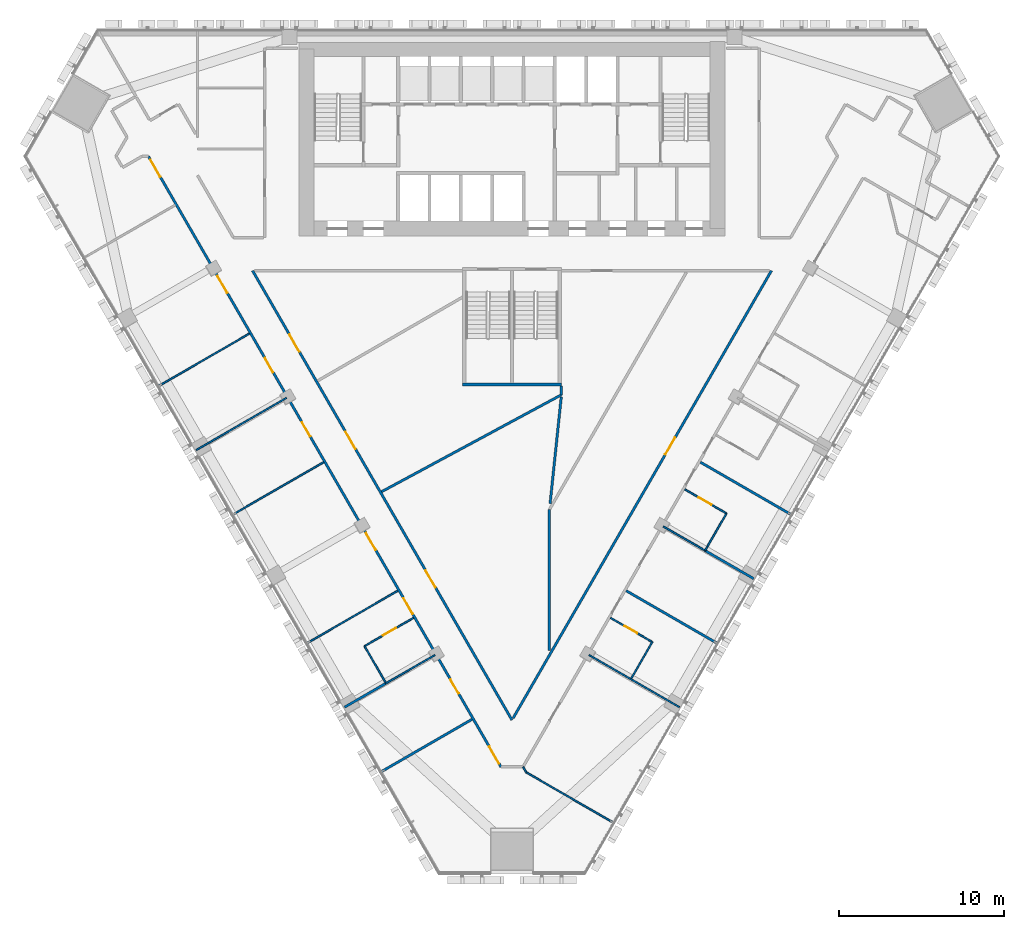
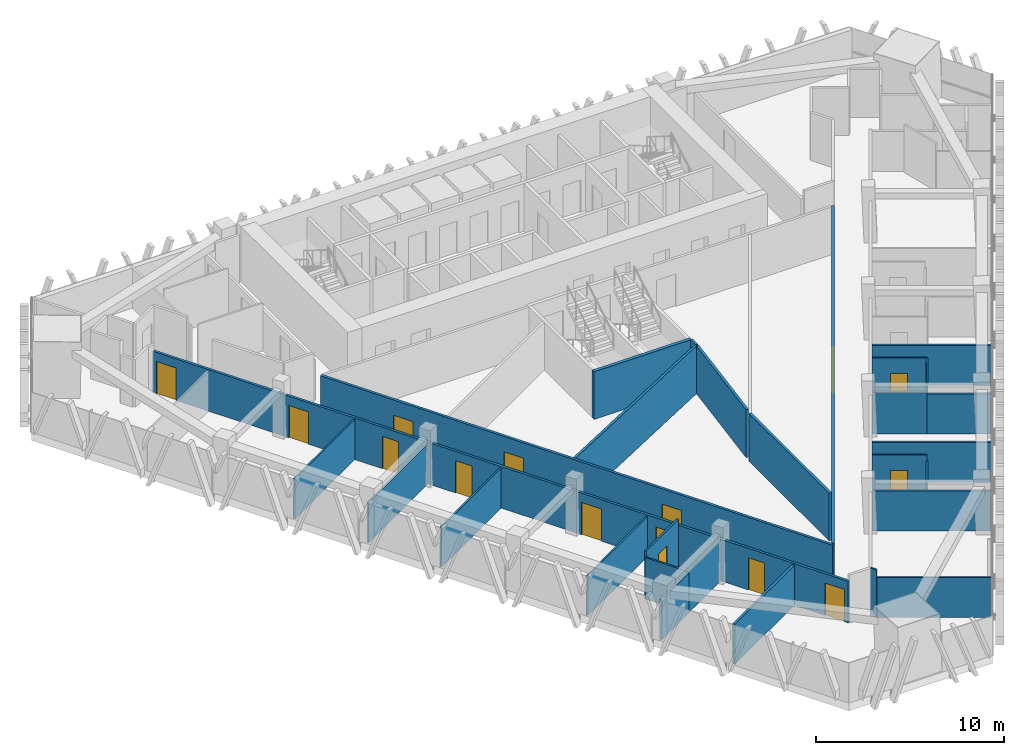
# One storey, part 9 of 16: 29 walls, 15 doors, 15 openings.
"""IFC4 building model written with IfcOpenShell, lengths in metres."""

from ifc_helpers import new_model, si_unit, direction, frame, frame_2d, origin, place, context, subcontext, project, spatial, rectangle, extrude, material, layer, layer_set, type_object, element, fill, save


model = new_model("IFC4")

# Units and contexts
model_context = context("Model", 3, precision=1e-05, world=origin(), true_north=direction((0.0, 1.0)))
body_context = subcontext(model_context, "Body", "Model", "MODEL_VIEW")
ifc_project = project(units=[si_unit("LENGTHUNIT", "METRE"), si_unit("AREAUNIT", "SQUARE_METRE"), si_unit("VOLUMEUNIT", "CUBIC_METRE"), si_unit("PLANEANGLEUNIT", "RADIAN"), si_unit("MASSUNIT", "GRAM", prefix="KILO")], contexts=[model_context])

# Site, building, storey
site_placement = place(None, origin())
site = spatial("IfcSite", under=ifc_project, at=site_placement, CompositionType="ELEMENT")
building_placement = place(site_placement, origin())
building = spatial("IfcBuilding", under=site, at=building_placement, Name="Altiplano Prism Tower", CompositionType="ELEMENT")
storey_placement = place(building_placement, frame((0.0, 0.0, 81.0)))
storey = spatial("IfcBuildingStorey", under=building, at=storey_placement, Name="L20", CompositionType="ELEMENT", Elevation=81.0)

# Wall
ifc_material_1 = material(Name="Plasterboard on steel stud", Category="steel")
ifc_layer_1 = layer(ifc_material_1, 0.10009765625)
ifc_layer_set_1 = layer_set([ifc_layer_1], Name="Plasterboard on steel stud")
wall_type_1 = type_object("IfcWallType", Name="Partition 100 unit", PredefinedType="PARTITIONING", material=ifc_layer_set_1)
wall_1_placement = place(storey_placement, frame((77.323974609375, 65.451904296875, 0.0), z_axis=(0.0, 0.0, 1.0), x_axis=(-0.500090717682, 0.865973021571, 0.0)))
element("IfcWall", 1, at=wall_1_placement, inside=storey, type_object=wall_type_1, Name="Partition P02 L20 048", PredefinedType="PARTITIONING", context=body_context, shape_type="SweptSolid", body=[
    extrude(rectangle(XDim=2.52490234375, YDim=0.10009765625, at=frame_2d((1.262451171875, 0.0))), origin(), (0.0, 0.0, 1.0), 2.699951171875),
])

# Wall, opening, door
wall_2_placement = place(storey_placement, frame((76.061279296875, 67.638427734375, 0.0), z_axis=(0.0, 0.0, 1.0), x_axis=(0.866019409031, 0.500010383074, 0.0)))
wall_2 = element("IfcWall", 2, at=wall_2_placement, inside=storey, type_object=wall_type_1, Name="Partition P02 L20 049", PredefinedType="PARTITIONING", context=body_context, shape_type="SweptSolid", body=[
    extrude(rectangle(XDim=3.42529296875, YDim=0.10009765625, at=frame_2d((1.712646484375, 0.0))), origin(), (0.0, 0.0, 1.0), 3.10009765625),
])
opening_1_placement = place(wall_2_placement, frame((1.300048828125, 0.0, 0.0)))
opening_1 = element("IfcOpeningElement", 3, at=opening_1_placement, cuts=wall_2, Name="Opening D0764", PredefinedType="OPENING", context=body_context, shape_type="SweptSolid", body=[
    extrude(rectangle(XDim=0.89990234375, YDim=2.10009765625, at=frame_2d((0.449951171875, 1.050048828125))), frame((0.0, 0.060546875, 0.0), z_axis=(0.0, -1.0, 0.0), x_axis=(1.0, 0.0, 0.0)), (0.0, 0.0, 1.0), 0.12109375),
])
ifc_material_2 = material(Name="Timber", Category="wood")
door_type_1 = type_object("IfcDoorType", Name="Accessible ensuite door 900 x 2100", OperationType="NOTDEFINED", PredefinedType="NOTDEFINED", material=ifc_material_2)
door_1_placement = place(opening_1_placement, origin())
door_1 = element("IfcDoor", 4, at=door_1_placement, inside=storey, type_object=door_type_1, Name="Door D0764", OperationType="SINGLE_SWING_RIGHT", OverallHeight=2.10009765625, OverallWidth=0.89990234375, PredefinedType="NOTDEFINED", context=body_context, shape_type="SweptSolid", body=[
    extrude(rectangle(XDim=0.89990234375, YDim=2.10009765625, at=frame_2d((0.449951171875, 1.050048828125))), frame((0.0, 0.02490234375, 0.0), z_axis=(0.0, -1.0, 0.0), x_axis=(1.0, 0.0, 0.0)), (0.0, 0.0, 1.0), 0.050048828125),
])
fill(opening_1, door_1)

wall_3_placement = place(storey_placement, frame((90.972412109375, 69.35107421875, 0.0), z_axis=(0.0, 0.0, 1.0), x_axis=(0.86601045545, -0.500025890382, 0.0)))
wall_3 = element("IfcWall", 5, at=wall_3_placement, inside=storey, type_object=wall_type_1, Name="Partition P02 L20 056", PredefinedType="PARTITIONING", context=body_context, shape_type="SweptSolid", body=[
    extrude(rectangle(XDim=2.925048828125, YDim=0.10009765625, at=frame_2d((1.46240234375, 0.0))), origin(), (0.0, 0.0, 1.0), 3.10009765625),
])
opening_2_placement = place(wall_3_placement, frame((0.97509765625, 0.0, 0.0)))
opening_2 = element("IfcOpeningElement", 6, at=opening_2_placement, cuts=wall_3, Name="Opening D0769", PredefinedType="OPENING", context=body_context, shape_type="SweptSolid", body=[
    extrude(rectangle(XDim=0.89990234375, YDim=2.10009765625, at=frame_2d((0.449951171875, 1.050048828125))), frame((0.0, 0.060546875, 0.0), z_axis=(0.0, -1.0, 0.0), x_axis=(1.0, 0.0, 0.0)), (0.0, 0.0, 1.0), 0.12109375),
])
door_type_2 = type_object("IfcDoorType", Name="Ensuite door 900 x 2100", OperationType="NOTDEFINED", PredefinedType="NOTDEFINED", material=ifc_material_2)
door_2_placement = place(opening_2_placement, origin())
door_2 = element("IfcDoor", 7, at=door_2_placement, inside=storey, type_object=door_type_2, Name="Door D0769", OperationType="SINGLE_SWING_LEFT", OverallHeight=2.10009765625, OverallWidth=0.89990234375, PredefinedType="NOTDEFINED", context=body_context, shape_type="SweptSolid", body=[
    extrude(rectangle(XDim=0.89990234375, YDim=2.10009765625, at=frame_2d((0.449951171875, 1.050048828125))), frame((0.0, 0.02490234375, 0.0), z_axis=(0.0, -1.0, 0.0), x_axis=(1.0, 0.0, 0.0)), (0.0, 0.0, 1.0), 0.050048828125),
])
fill(opening_2, door_2)

# Wall
wall_4_placement = place(storey_placement, frame((93.505615234375, 67.888427734375, 0.0), z_axis=(0.0, 0.0, 1.0), x_axis=(-0.499990435942, -0.866030925526, 0.0)))
element("IfcWall", 8, at=wall_4_placement, inside=storey, type_object=wall_type_1, Name="Partition P02 L20 057", PredefinedType="PARTITIONING", context=body_context, shape_type="SweptSolid", body=[
    extrude(rectangle(XDim=2.5498046875, YDim=0.10009765625, at=frame_2d((1.27490234375, 0.0))), origin(), (0.0, 0.0, 1.0), 2.699951171875),
])

# Wall, opening, door
wall_5_placement = place(storey_placement, frame((95.472412109375, 77.145263671875, 0.0), z_axis=(0.0, 0.0, 1.0), x_axis=(0.866046596414, -0.499963291492, 0.0)))
wall_5 = element("IfcWall", 9, at=wall_5_placement, inside=storey, type_object=wall_type_1, Name="Partition P02 L20 061", PredefinedType="PARTITIONING", context=body_context, shape_type="SweptSolid", body=[
    extrude(rectangle(XDim=2.925048828125, YDim=0.10009765625, at=frame_2d((1.46240234375, 0.0))), origin(), (0.0, 0.0, 1.0), 3.10009765625),
])
opening_3_placement = place(wall_5_placement, frame((0.97509765625, 0.0, 0.0)))
opening_3 = element("IfcOpeningElement", 10, at=opening_3_placement, cuts=wall_5, Name="Opening D0772", PredefinedType="OPENING", context=body_context, shape_type="SweptSolid", body=[
    extrude(rectangle(XDim=0.89990234375, YDim=2.10009765625, at=frame_2d((0.449951171875, 1.050048828125))), frame((0.0, 0.060546875, 0.0), z_axis=(0.0, -1.0, 0.0), x_axis=(1.0, 0.0, 0.0)), (0.0, 0.0, 1.0), 0.12109375),
])
door_3_placement = place(opening_3_placement, origin())
door_3 = element("IfcDoor", 11, at=door_3_placement, inside=storey, type_object=door_type_2, Name="Door D0772", OperationType="SINGLE_SWING_LEFT", OverallHeight=2.10009765625, OverallWidth=0.89990234375, PredefinedType="NOTDEFINED", context=body_context, shape_type="SweptSolid", body=[
    extrude(rectangle(XDim=0.89990234375, YDim=2.10009765625, at=frame_2d((0.449951171875, 1.050048828125))), frame((0.0, 0.02490234375, 0.0), z_axis=(0.0, -1.0, 0.0), x_axis=(1.0, 0.0, 0.0)), (0.0, 0.0, 1.0), 0.050048828125),
])
fill(opening_3, door_3)

# Walls
wall_6_placement = place(storey_placement, frame((98.005615234375, 75.682861328125, 0.0), z_axis=(0.0, 0.0, 1.0), x_axis=(-0.499952165731, -0.866053019151, 0.0)))
element("IfcWall", 12, at=wall_6_placement, inside=storey, type_object=wall_type_1, Name="Partition P02 L20 062", PredefinedType="PARTITIONING", context=body_context, shape_type="SweptSolid", body=[
    extrude(rectangle(XDim=2.300048828125, YDim=0.10009765625, at=frame_2d((1.14990234375, 0.0))), origin(), (0.0, 0.0, 1.0), 3.10009765625),
])
wall_7_placement = place(storey_placement, frame((96.855712890625, 73.69091796875, 0.0), z_axis=(0.0, 0.0, 1.0), x_axis=(-0.500426713919, -0.865778900179, 0.0)))
element("IfcWall", 13, at=wall_7_placement, inside=storey, type_object=wall_type_1, Name="Partition P02 L20 063", PredefinedType="PARTITIONING", context=body_context, shape_type="SweptSolid", body=[
    extrude(rectangle(XDim=0.300048828125, YDim=0.10009765625, at=frame_2d((0.14990234375, 0.0))), origin(), (0.0, 0.0, 1.0), 2.699951171875),
])
ifc_layer_2 = layer(ifc_material_1, 0.10009765625)
ifc_layer_set_2 = layer_set([ifc_layer_2], Name="Plasterboard on steel stud")
wall_type_2 = type_object("IfcWallType", Name="Partition 100 wet", PredefinedType="PARTITIONING", material=ifc_layer_set_2)
wall_8_placement = place(storey_placement, frame((63.58251953125, 83.412353515625, 0.0), z_axis=(0.0, 0.0, 1.0), x_axis=(0.866015781869, 0.500016665277, 0.0)))
element("IfcWall", 14, at=wall_8_placement, inside=storey, type_object=wall_type_2, Name="Partition P03 L20 044", PredefinedType="PARTITIONING", context=body_context, shape_type="SweptSolid", body=[
    extrude(rectangle(XDim=6.344970703125, YDim=0.10009765625, at=frame_2d((3.17236328125, 0.0))), origin(), (0.0, 0.0, 1.0), 2.60009765625),
])
wall_9_placement = place(storey_placement, frame((65.849853515625, 79.525390625, 0.0), z_axis=(0.0, 0.0, 1.0), x_axis=(0.866042250622, 0.499970819286, 0.0)))
element("IfcWall", 15, at=wall_9_placement, inside=storey, type_object=wall_type_2, Name="Partition P03 L20 045", PredefinedType="PARTITIONING", context=body_context, shape_type="SweptSolid", body=[
    extrude(rectangle(XDim=6.3251953125, YDim=0.10009765625, at=frame_2d((3.16259765625, 0.0))), origin(), (0.0, 0.0, 1.0), 2.60009765625),
])
for number, where, z_axis, x_axis, name in (
    (16, (68.08251953125, 75.6181640625, 0.0), (0.0, 0.0, 1.0), (0.866025401434, 0.500000004071, 0.0), "Partition P03 L20 046"),
    (17, (72.58251953125, 67.823974609375, 0.0), (0.0, 0.0, 1.0), (0.866025401434, 0.500000004071, 0.0), "Partition P03 L20 047"),
):
    element("IfcWall", number, at=place(storey_placement, frame(where, z_axis=z_axis, x_axis=x_axis)), inside=storey, type_object=wall_type_2, Name=name, PredefinedType="PARTITIONING", context=body_context, shape_type="SweptSolid", body=[
        extrude(rectangle(XDim=6.34521484375, YDim=0.10009765625, at=frame_2d((3.172607421875, 0.0))), origin(), (0.0, 0.0, 1.0), 2.60009765625),
    ])
wall_10_placement = place(storey_placement, frame((77.343994140625, 65.376953125, 0.0), z_axis=(0.0, 0.0, 1.0), x_axis=(0.866049878924, 0.499957605418, 0.0)))
element("IfcWall", 18, at=wall_10_placement, inside=storey, type_object=wall_type_2, Name="Partition P03 L20 051", PredefinedType="PARTITIONING", context=body_context, shape_type="SweptSolid", body=[
    extrude(rectangle(XDim=3.445068359375, YDim=0.10009765625, at=frame_2d((1.72265625, 0.0))), origin(), (0.0, 0.0, 1.0), 2.699951171875),
])
wall_11_placement = place(storey_placement, frame((91.135498046875, 56.943115234375, 0.0), z_axis=(0.0, 0.0, 1.0), x_axis=(-0.866022779063, 0.500004546124, 0.0)))
element("IfcWall", 19, at=wall_11_placement, inside=storey, type_object=wall_type_2, Name="Partition P03 L20 053", PredefinedType="PARTITIONING", context=body_context, shape_type="SweptSolid", body=[
    extrude(rectangle(XDim=6.09326171875, YDim=0.10009765625, at=frame_2d((3.046630859375, 0.0))), origin(), (0.0, 0.0, 1.0), 2.60009765625),
])
wall_12_placement = place(storey_placement, frame((85.858642578125, 59.98974609375, 0.0), z_axis=(0.0, 0.0, 1.0), x_axis=(-0.499965068118, 0.866045570776, 0.0)))
element("IfcWall", 20, at=wall_12_placement, inside=storey, type_object=wall_type_2, Name="Partition P03 L20 054", PredefinedType="PARTITIONING", context=body_context, shape_type="SweptSolid", body=[
    extrude(rectangle(XDim=0.37744140625, YDim=0.10009765625, at=frame_2d((0.188720703125, 0.0))), origin(), (0.0, 0.0, 1.0), 3.10009765625),
])
wall_13_placement = place(storey_placement, frame((95.150146484375, 63.936767578125, 0.0), z_axis=(0.0, 0.0, 1.0), x_axis=(-0.866025537322, 0.499999768706, 0.0)))
element("IfcWall", 21, at=wall_13_placement, inside=storey, type_object=wall_type_2, Name="Partition P03 L20 055", PredefinedType="PARTITIONING", context=body_context, shape_type="SweptSolid", body=[
    extrude(rectangle(XDim=6.3251953125, YDim=0.10009765625, at=frame_2d((3.16259765625, 0.0))), origin(), (0.0, 0.0, 1.0), 2.60009765625),
])
wall_14_placement = place(storey_placement, frame((96.70556640625, 73.43115234375, 0.0), z_axis=(0.0, 0.0, 1.0), x_axis=(-0.866046596414, 0.499963291492, 0.0)))
element("IfcWall", 22, at=wall_14_placement, inside=storey, type_object=wall_type_2, Name="Partition P03 L20 060", PredefinedType="PARTITIONING", context=body_context, shape_type="SweptSolid", body=[
    extrude(rectangle(XDim=2.925048828125, YDim=0.10009765625, at=frame_2d((1.46240234375, 0.0))), origin(), (0.0, 0.0, 1.0), 2.699951171875),
])

# Wall, openings, doors
ifc_layer_3 = layer(ifc_material_1, 0.14990234375)
ifc_layer_set_3 = layer_set([ifc_layer_3], Name="Plasterboard on steel stud")
wall_type_3 = type_object("IfcWallType", Name="Partition 150 corridor", PredefinedType="PARTITIONING", material=ifc_layer_set_3)
wall_15_placement = place(storey_placement, frame((62.954833984375, 97.339599609375, 0.0), z_axis=(0.0, 0.0, 1.0), x_axis=(0.500000604257, -0.866025054916, 0.0)))
wall_15 = element("IfcWall", 23, at=wall_15_placement, inside=storey, type_object=wall_type_3, Name="Partition P06 L20 015", PredefinedType="PARTITIONING", context=body_context, shape_type="SweptSolid", body=[
    extrude(rectangle(XDim=42.75048828125, YDim=0.14990234375, at=frame_2d((21.375244140625, 0.0))), origin(), (0.0, 0.0, 1.0), 2.699951171875),
])
opening_4_placement = place(wall_15_placement, frame((0.2451171875, 0.0, 0.0)))
opening_4 = element("IfcOpeningElement", 24, at=opening_4_placement, cuts=wall_15, Name="Opening D0758", PredefinedType="OPENING", context=body_context, shape_type="SweptSolid", body=[
    extrude(rectangle(XDim=1.199951171875, YDim=2.10009765625, at=frame_2d((0.60009765625, 1.050048828125))), frame((0.0, 0.08544921875, 0.0), z_axis=(0.0, -1.0, 0.0), x_axis=(1.0, 0.0, 0.0)), (0.0, 0.0, 1.0), 0.1708984375),
])
opening_5_placement = place(wall_15_placement, frame((8.375, 0.0, 0.0)))
opening_5 = element("IfcOpeningElement", 25, at=opening_5_placement, cuts=wall_15, Name="Opening D0759", PredefinedType="OPENING", context=body_context, shape_type="SweptSolid", body=[
    extrude(rectangle(XDim=1.199951171875, YDim=2.10009765625, at=frame_2d((0.60009765625, 1.050048828125))), frame((0.0, 0.08544921875, 0.0), z_axis=(0.0, -1.0, 0.0), x_axis=(1.0, 0.0, 0.0)), (0.0, 0.0, 1.0), 0.1708984375),
])
opening_6_placement = place(wall_15_placement, frame((14.125, 0.0, 0.0)))
opening_6 = element("IfcOpeningElement", 26, at=opening_6_placement, cuts=wall_15, Name="Opening D0760", PredefinedType="OPENING", context=body_context, shape_type="SweptSolid", body=[
    extrude(rectangle(XDim=1.0, YDim=2.10009765625, at=frame_2d((0.5, 1.050048828125))), frame((0.0, 0.08544921875, 0.0), z_axis=(0.0, -1.0, 0.0), x_axis=(1.0, 0.0, 0.0)), (0.0, 0.0, 1.0), 0.1708984375),
])
opening_7_placement = place(wall_15_placement, frame((18.625, 0.0, 0.0)))
opening_7 = element("IfcOpeningElement", 27, at=opening_7_placement, cuts=wall_15, Name="Opening D0761", PredefinedType="OPENING", context=body_context, shape_type="SweptSolid", body=[
    extrude(rectangle(XDim=1.0, YDim=2.10009765625, at=frame_2d((0.5, 1.050048828125))), frame((0.0, 0.08544921875, 0.0), z_axis=(0.0, -1.0, 0.0), x_axis=(1.0, 0.0, 0.0)), (0.0, 0.0, 1.0), 0.1708984375),
])
opening_8_placement = place(wall_15_placement, frame((26.375, 0.0, 0.0)))
opening_8 = element("IfcOpeningElement", 28, at=opening_8_placement, cuts=wall_15, Name="Opening D0762", PredefinedType="OPENING", context=body_context, shape_type="SweptSolid", body=[
    extrude(rectangle(XDim=1.199951171875, YDim=2.10009765625, at=frame_2d((0.60009765625, 1.050048828125))), frame((0.0, 0.08544921875, 0.0), z_axis=(0.0, -1.0, 0.0), x_axis=(1.0, 0.0, 0.0)), (0.0, 0.0, 1.0), 0.1708984375),
])
opening_9_placement = place(wall_15_placement, frame((30.946044921875, 0.0, 0.0)))
opening_9 = element("IfcOpeningElement", 29, at=opening_9_placement, cuts=wall_15, Name="Opening D0763", PredefinedType="OPENING", context=body_context, shape_type="SweptSolid", body=[
    extrude(rectangle(XDim=1.10009765625, YDim=2.10009765625, at=frame_2d((0.550048828125, 1.050048828125))), frame((0.0, 0.08544921875, 0.0), z_axis=(0.0, -1.0, 0.0), x_axis=(1.0, 0.0, 0.0)), (0.0, 0.0, 1.0), 0.1708984375),
])
opening_10_placement = place(wall_15_placement, frame((36.625, 0.0, 0.0)))
opening_10 = element("IfcOpeningElement", 30, at=opening_10_placement, cuts=wall_15, Name="Opening D0765", PredefinedType="OPENING", context=body_context, shape_type="SweptSolid", body=[
    extrude(rectangle(XDim=1.0, YDim=2.10009765625, at=frame_2d((0.5, 1.050048828125))), frame((0.0, 0.08544921875, 0.0), z_axis=(0.0, -1.0, 0.0), x_axis=(1.0, 0.0, 0.0)), (0.0, 0.0, 1.0), 0.1708984375),
])
opening_11_placement = place(wall_15_placement, frame((41.3291015625, 0.0, 0.0)))
opening_11 = element("IfcOpeningElement", 31, at=opening_11_placement, cuts=wall_15, Name="Opening D0766", PredefinedType="OPENING", context=body_context, shape_type="SweptSolid", body=[
    extrude(rectangle(XDim=1.199951171875, YDim=2.10009765625, at=frame_2d((0.60009765625, 1.050048828125))), frame((0.0, 0.08544921875, 0.0), z_axis=(0.0, -1.0, 0.0), x_axis=(1.0, 0.0, 0.0)), (0.0, 0.0, 1.0), 0.1708984375),
])
door_type_3 = type_object("IfcDoorType", Name="Accessible bedroom door 1100 x 2100", OperationType="NOTDEFINED", PredefinedType="NOTDEFINED", material=ifc_material_2)
door_4_placement = place(opening_9_placement, origin())
door_4 = element("IfcDoor", 32, at=door_4_placement, inside=storey, type_object=door_type_3, Name="Door D0763", OperationType="SINGLE_SWING_RIGHT", OverallHeight=2.10009765625, OverallWidth=1.10009765625, PredefinedType="NOTDEFINED", context=body_context, shape_type="SweptSolid", body=[
    extrude(rectangle(XDim=1.10009765625, YDim=2.10009765625, at=frame_2d((0.550048828125, 1.050048828125))), frame((0.0, 0.02490234375, 0.0), z_axis=(0.0, -1.0, 0.0), x_axis=(1.0, 0.0, 0.0)), (0.0, 0.0, 1.0), 0.050048828125),
])
fill(opening_9, door_4)
door_type_4 = type_object("IfcDoorType", Name="Room door 1000 x 2100", OperationType="NOTDEFINED", PredefinedType="NOTDEFINED", material=ifc_material_2)
door_5_placement = place(opening_6_placement, origin())
door_5 = element("IfcDoor", 33, at=door_5_placement, inside=storey, type_object=door_type_4, Name="Door D0760", OperationType="SINGLE_SWING_LEFT", OverallHeight=2.10009765625, OverallWidth=1.0, PredefinedType="NOTDEFINED", context=body_context, shape_type="SweptSolid", body=[
    extrude(rectangle(XDim=1.0, YDim=2.10009765625, at=frame_2d((0.5, 1.050048828125))), frame((0.0, 0.02490234375, 0.0), z_axis=(0.0, -1.0, 0.0), x_axis=(1.0, 0.0, 0.0)), (0.0, 0.0, 1.0), 0.050048828125),
])
fill(opening_6, door_5)
door_6_placement = place(opening_7_placement, origin())
door_6 = element("IfcDoor", 34, at=door_6_placement, inside=storey, type_object=door_type_4, Name="Door D0761", OperationType="SINGLE_SWING_LEFT", OverallHeight=2.10009765625, OverallWidth=1.0, PredefinedType="NOTDEFINED", context=body_context, shape_type="SweptSolid", body=[
    extrude(rectangle(XDim=1.0, YDim=2.10009765625, at=frame_2d((0.5, 1.050048828125))), frame((0.0, 0.02490234375, 0.0), z_axis=(0.0, -1.0, 0.0), x_axis=(1.0, 0.0, 0.0)), (0.0, 0.0, 1.0), 0.050048828125),
])
fill(opening_7, door_6)
door_7_placement = place(opening_10_placement, origin())
door_7 = element("IfcDoor", 35, at=door_7_placement, inside=storey, type_object=door_type_4, Name="Door D0765", OperationType="SINGLE_SWING_LEFT", OverallHeight=2.10009765625, OverallWidth=1.0, PredefinedType="NOTDEFINED", context=body_context, shape_type="SweptSolid", body=[
    extrude(rectangle(XDim=1.0, YDim=2.10009765625, at=frame_2d((0.5, 1.050048828125))), frame((0.0, 0.02490234375, 0.0), z_axis=(0.0, -1.0, 0.0), x_axis=(1.0, 0.0, 0.0)), (0.0, 0.0, 1.0), 0.050048828125),
])
fill(opening_10, door_7)
door_type_5 = type_object("IfcDoorType", Name="Shared room door 1200 x 2100", OperationType="NOTDEFINED", PredefinedType="NOTDEFINED", material=ifc_material_2)
door_8_placement = place(opening_4_placement, origin())
door_8 = element("IfcDoor", 36, at=door_8_placement, inside=storey, type_object=door_type_5, Name="Door D0758", OperationType="SINGLE_SWING_LEFT", OverallHeight=2.10009765625, OverallWidth=1.199951171875, PredefinedType="NOTDEFINED", context=body_context, shape_type="SweptSolid", body=[
    extrude(rectangle(XDim=1.199951171875, YDim=2.10009765625, at=frame_2d((0.60009765625, 1.050048828125))), frame((0.0, 0.02490234375, 0.0), z_axis=(0.0, -1.0, 0.0), x_axis=(1.0, 0.0, 0.0)), (0.0, 0.0, 1.0), 0.050048828125),
])
fill(opening_4, door_8)
door_9_placement = place(opening_5_placement, origin())
door_9 = element("IfcDoor", 37, at=door_9_placement, inside=storey, type_object=door_type_5, Name="Door D0759", OperationType="SINGLE_SWING_RIGHT", OverallHeight=2.10009765625, OverallWidth=1.199951171875, PredefinedType="NOTDEFINED", context=body_context, shape_type="SweptSolid", body=[
    extrude(rectangle(XDim=1.199951171875, YDim=2.10009765625, at=frame_2d((0.60009765625, 1.050048828125))), frame((0.0, 0.02490234375, 0.0), z_axis=(0.0, -1.0, 0.0), x_axis=(1.0, 0.0, 0.0)), (0.0, 0.0, 1.0), 0.050048828125),
])
fill(opening_5, door_9)
door_10_placement = place(opening_8_placement, origin())
door_10 = element("IfcDoor", 38, at=door_10_placement, inside=storey, type_object=door_type_5, Name="Door D0762", OperationType="SINGLE_SWING_LEFT", OverallHeight=2.10009765625, OverallWidth=1.199951171875, PredefinedType="NOTDEFINED", context=body_context, shape_type="SweptSolid", body=[
    extrude(rectangle(XDim=1.199951171875, YDim=2.10009765625, at=frame_2d((0.60009765625, 1.050048828125))), frame((0.0, 0.02490234375, 0.0), z_axis=(0.0, -1.0, 0.0), x_axis=(1.0, 0.0, 0.0)), (0.0, 0.0, 1.0), 0.050048828125),
])
fill(opening_8, door_10)
door_11_placement = place(opening_11_placement, origin())
door_11 = element("IfcDoor", 39, at=door_11_placement, inside=storey, type_object=door_type_5, Name="Door D0766", OperationType="SINGLE_SWING_RIGHT", OverallHeight=2.10009765625, OverallWidth=1.199951171875, PredefinedType="NOTDEFINED", context=body_context, shape_type="SweptSolid", body=[
    extrude(rectangle(XDim=1.199951171875, YDim=2.10009765625, at=frame_2d((0.60009765625, 1.050048828125))), frame((0.0, 0.02490234375, 0.0), z_axis=(0.0, -1.0, 0.0), x_axis=(1.0, 0.0, 0.0)), (0.0, 0.0, 1.0), 0.050048828125),
])
fill(opening_11, door_11)

wall_16_placement = place(storey_placement, frame((85.0, 63.156494140625, 0.0), z_axis=(0.0, 0.0, 1.0), x_axis=(-0.500000353961, 0.866025199425, 0.0)))
wall_16 = element("IfcWall", 40, at=wall_16_placement, inside=storey, type_object=wall_type_3, Name="Partition P06 L20 020", PredefinedType="PARTITIONING", context=body_context, shape_type="SweptSolid", body=[
    extrude(rectangle(XDim=31.4580078125, YDim=0.14990234375, at=frame_2d((15.72900390625, 0.0))), origin(), (0.0, 0.0, 1.0), 3.10009765625),
])
opening_12_placement = place(wall_16_placement, frame((9.27587890625, 0.0, 0.0)))
opening_12 = element("IfcOpeningElement", 41, at=opening_12_placement, cuts=wall_16, Name="Opening D0779", PredefinedType="OPENING", context=body_context, shape_type="SweptSolid", body=[
    extrude(rectangle(XDim=1.199951171875, YDim=2.10009765625, at=frame_2d((0.60009765625, 1.050048828125))), frame((0.0, 0.08544921875, 0.0), z_axis=(0.0, -1.0, 0.0), x_axis=(1.0, 0.0, 0.0)), (0.0, 0.0, 1.0), 0.1708984375),
])
opening_13_placement = place(wall_16_placement, frame((18.98291015625, 0.0, 0.0)))
opening_13 = element("IfcOpeningElement", 42, at=opening_13_placement, cuts=wall_16, Name="Opening D0782", PredefinedType="OPENING", context=body_context, shape_type="SweptSolid", body=[
    extrude(rectangle(XDim=1.199951171875, YDim=2.10009765625, at=frame_2d((0.60009765625, 1.050048828125))), frame((0.0, 0.08544921875, 0.0), z_axis=(0.0, -1.0, 0.0), x_axis=(1.0, 0.0, 0.0)), (0.0, 0.0, 1.0), 0.1708984375),
])
opening_14_placement = place(wall_16_placement, frame((25.782958984375, 0.0, 0.0)))
opening_14 = element("IfcOpeningElement", 43, at=opening_14_placement, cuts=wall_16, Name="Opening D0784", PredefinedType="OPENING", context=body_context, shape_type="SweptSolid", body=[
    extrude(rectangle(XDim=1.199951171875, YDim=2.10009765625, at=frame_2d((0.60009765625, 1.050048828125))), frame((0.0, 0.08544921875, 0.0), z_axis=(0.0, -1.0, 0.0), x_axis=(1.0, 0.0, 0.0)), (0.0, 0.0, 1.0), 0.1708984375),
])
door_12_placement = place(opening_12_placement, origin())
door_12 = element("IfcDoor", 44, at=door_12_placement, inside=storey, type_object=door_type_5, Name="Door D0779", OperationType="SINGLE_SWING_LEFT", OverallHeight=2.10009765625, OverallWidth=1.199951171875, PredefinedType="NOTDEFINED", context=body_context, shape_type="SweptSolid", body=[
    extrude(rectangle(XDim=1.199951171875, YDim=2.10009765625, at=frame_2d((0.60009765625, 1.050048828125))), frame((0.0, 0.02490234375, 0.0), z_axis=(0.0, -1.0, 0.0), x_axis=(1.0, 0.0, 0.0)), (0.0, 0.0, 1.0), 0.050048828125),
])
fill(opening_12, door_12)
door_13_placement = place(opening_13_placement, origin())
door_13 = element("IfcDoor", 45, at=door_13_placement, inside=storey, type_object=door_type_5, Name="Door D0782", OperationType="SINGLE_SWING_LEFT", OverallHeight=2.10009765625, OverallWidth=1.199951171875, PredefinedType="NOTDEFINED", context=body_context, shape_type="SweptSolid", body=[
    extrude(rectangle(XDim=1.199951171875, YDim=2.10009765625, at=frame_2d((0.60009765625, 1.050048828125))), frame((0.0, 0.02490234375, 0.0), z_axis=(0.0, -1.0, 0.0), x_axis=(1.0, 0.0, 0.0)), (0.0, 0.0, 1.0), 0.050048828125),
])
fill(opening_13, door_13)
door_14_placement = place(opening_14_placement, origin())
door_14 = element("IfcDoor", 46, at=door_14_placement, inside=storey, type_object=door_type_5, Name="Door D0784", OperationType="SINGLE_SWING_RIGHT", OverallHeight=2.10009765625, OverallWidth=1.199951171875, PredefinedType="NOTDEFINED", context=body_context, shape_type="SweptSolid", body=[
    extrude(rectangle(XDim=1.199951171875, YDim=2.10009765625, at=frame_2d((0.60009765625, 1.050048828125))), frame((0.0, 0.02490234375, 0.0), z_axis=(0.0, -1.0, 0.0), x_axis=(1.0, 0.0, 0.0)), (0.0, 0.0, 1.0), 0.050048828125),
])
fill(opening_14, door_14)

# Wall, opening, door
wall_17_placement = place(storey_placement, frame((100.72900390625, 90.39990234375, 0.0), z_axis=(0.0, 0.0, 1.0), x_axis=(-0.499997907204, -0.866026612058, 0.0)))
wall_17 = element("IfcWall", 47, at=wall_17_placement, inside=storey, type_object=wall_type_3, Name="Partition P06 L20 021", PredefinedType="PARTITIONING", context=body_context, shape_type="SweptSolid", body=[
    extrude(rectangle(XDim=31.328369140625, YDim=0.14990234375, at=frame_2d((15.6640625, 0.0))), origin(), (0.0, 0.0, 1.0), 3.10009765625),
])
opening_15_placement = place(wall_17_placement, frame((11.680908203125, 0.0, 0.0)))
opening_15 = element("IfcOpeningElement", 48, at=opening_15_placement, cuts=wall_17, Name="Opening D0780", PredefinedType="OPENING", context=body_context, shape_type="SweptSolid", body=[
    extrude(rectangle(XDim=1.199951171875, YDim=2.10009765625, at=frame_2d((0.60009765625, 1.050048828125))), frame((0.0, 0.08544921875, 0.0), z_axis=(0.0, -1.0, 0.0), x_axis=(1.0, 0.0, 0.0)), (0.0, 0.0, 1.0), 0.1708984375),
])
door_15_placement = place(opening_15_placement, origin())
door_15 = element("IfcDoor", 49, at=door_15_placement, inside=storey, type_object=door_type_5, Name="Door D0780", OperationType="SINGLE_SWING_RIGHT", OverallHeight=2.10009765625, OverallWidth=1.199951171875, PredefinedType="NOTDEFINED", context=body_context, shape_type="SweptSolid", body=[
    extrude(rectangle(XDim=1.199951171875, YDim=2.10009765625, at=frame_2d((0.60009765625, 1.050048828125))), frame((0.0, 0.02490234375, 0.0), z_axis=(0.0, -1.0, 0.0), x_axis=(1.0, 0.0, 0.0)), (0.0, 0.0, 1.0), 0.050048828125),
])
fill(opening_15, door_15)

# Walls
ifc_layer_4 = layer(ifc_material_1, 0.14990234375)
ifc_layer_set_4 = layer_set([ifc_layer_4], Name="Plasterboard on steel stud")
wall_type_4 = type_object("IfcWallType", Name="Partition 150 party", PredefinedType="PARTITIONING", material=ifc_layer_set_4)
wall_18_placement = place(storey_placement, frame((74.849853515625, 63.936767578125, 0.0), z_axis=(0.0, 0.0, 1.0), x_axis=(0.865996417519, 0.500050202324, 0.0)))
element("IfcWall", 50, at=wall_18_placement, inside=storey, type_object=wall_type_4, Name="Partition P01 L20 050", PredefinedType="PARTITIONING", context=body_context, shape_type="SweptSolid", body=[
    extrude(rectangle(XDim=2.880126953125, YDim=0.14990234375, at=frame_2d((1.43994140625, 0.0))), origin(), (0.0, 0.0, 1.0), 2.60009765625),
])
for number, where, z_axis, x_axis, name in (
    (51, (77.08251953125, 60.029541015625, 0.0), (0.0, 0.0, 1.0), (0.866025401434, 0.500000004071, 0.0), "Partition P01 L20 052"),
    (52, (97.41748046875, 67.823974609375, 0.0), (0.0, 0.0, 1.0), (-0.866025401434, 0.500000004071, 0.0), "Partition P01 L20 058"),
):
    element("IfcWall", number, at=place(storey_placement, frame(where, z_axis=z_axis, x_axis=x_axis)), inside=storey, type_object=wall_type_4, Name=name, PredefinedType="PARTITIONING", context=body_context, shape_type="SweptSolid", body=[
        extrude(rectangle(XDim=6.34521484375, YDim=0.14990234375, at=frame_2d((3.172607421875, 0.0))), origin(), (0.0, 0.0, 1.0), 2.60009765625),
    ])
wall_19_placement = place(storey_placement, frame((99.650146484375, 71.73095703125, 0.0), z_axis=(0.0, 0.0, 1.0), x_axis=(-0.866007419912, 0.500031147688, 0.0)))
element("IfcWall", 53, at=wall_19_placement, inside=storey, type_object=wall_type_4, Name="Partition P01 L20 059", PredefinedType="PARTITIONING", context=body_context, shape_type="SweptSolid", body=[
    extrude(rectangle(XDim=3.400146484375, YDim=0.14990234375, at=frame_2d((1.7001953125, 0.0))), origin(), (0.0, 0.0, 1.0), 2.60009765625),
])
wall_20_placement = place(storey_placement, frame((101.91748046875, 75.6181640625, 0.0), z_axis=(0.0, 0.0, 1.0), x_axis=(-0.866025401434, 0.500000004071, 0.0)))
element("IfcWall", 54, at=wall_20_placement, inside=storey, type_object=wall_type_4, Name="Partition P01 L20 064", PredefinedType="PARTITIONING", context=body_context, shape_type="SweptSolid", body=[
    extrude(rectangle(XDim=6.34521484375, YDim=0.14990234375, at=frame_2d((3.172607421875, 0.0))), origin(), (0.0, 0.0, 1.0), 2.60009765625),
])
wall_21_placement = place(storey_placement, frame((87.272705078125, 67.37255859375, 0.0), z_axis=(0.0, 0.0, 1.0), x_axis=(0.0, 1.0, 0.0)))
element("IfcWall", 55, at=wall_21_placement, inside=storey, type_object=wall_type_4, Name="Partition P01 L20 075", PredefinedType="PARTITIONING", context=body_context, shape_type="SweptSolid", body=[
    extrude(rectangle(XDim=8.551025390625, YDim=0.14990234375, at=frame_2d((4.275390625, 0.0))), origin(), (0.0, 0.0, 1.0), 3.10009765625),
])
wall_22_placement = place(storey_placement, frame((88.0, 82.879150390625, 0.0), z_axis=(0.0, 0.0, 1.0), x_axis=(-0.880243174605, -0.474522869377, 0.0)))
element("IfcWall", 56, at=wall_22_placement, inside=storey, type_object=wall_type_4, Name="Partition P01 L20 076", PredefinedType="PARTITIONING", context=body_context, shape_type="SweptSolid", body=[
    extrude(rectangle(XDim=12.387451171875, YDim=0.14990234375, at=frame_2d((6.19384765625, 0.0))), origin(), (0.0, 0.0, 1.0), 3.10009765625),
])
wall_23_placement = place(storey_placement, frame((87.309326171875, 76.27392578125, 0.0), z_axis=(0.0, 0.0, 1.0), x_axis=(0.104014067393, 0.994575826061, 0.0)))
element("IfcWall", 57, at=wall_23_placement, inside=storey, type_object=wall_type_4, Name="Partition P01 L20 077", PredefinedType="PARTITIONING", context=body_context, shape_type="SweptSolid", body=[
    extrude(rectangle(XDim=6.499267578125, YDim=0.14990234375, at=frame_2d((3.24951171875, 0.0))), origin(), (0.0, 0.0, 1.0), 3.10009765625),
])
wall_24_placement = place(storey_placement, frame((88.0, 82.879150390625, 0.0), z_axis=(0.0, 0.0, 1.0), x_axis=(0.0, 1.0, 0.0)))
element("IfcWall", 58, at=wall_24_placement, inside=storey, type_object=wall_type_4, Name="Partition P01 L20 079", PredefinedType="PARTITIONING", context=body_context, shape_type="SweptSolid", body=[
    extrude(rectangle(XDim=0.520751953125, YDim=0.14990234375, at=frame_2d((0.26025390625, 0.0))), origin(), (0.0, 0.0, 1.0), 3.10009765625),
])
ifc_material_3 = material(Name="Concrete C60/75", Category="concrete")
ifc_layer_5 = layer(ifc_material_3, 0.199951171875)
ifc_layer_set_5 = layer_set([ifc_layer_5], Name="Concrete C60/75")
wall_type_5 = type_object("IfcWallType", Name="Stair wall 200", PredefinedType="SOLIDWALL", material=ifc_layer_set_5)
wall_25_placement = place(storey_placement, frame((82.0, 83.5, 0.0), z_axis=(0.0, 0.0, 1.0), x_axis=(1.0, 0.0, 0.0)))
element("IfcWall", 59, at=wall_25_placement, inside=storey, type_object=wall_type_5, Name="Stair 3 wall south L20", PredefinedType="SOLIDWALL", context=body_context, shape_type="SweptSolid", body=[
    extrude(rectangle(XDim=6.0, YDim=0.199951171875, at=frame_2d((3.0, 0.0))), origin(), (0.0, 0.0, 1.0), 3.10009765625),
])

save(model, "model.ifc")
